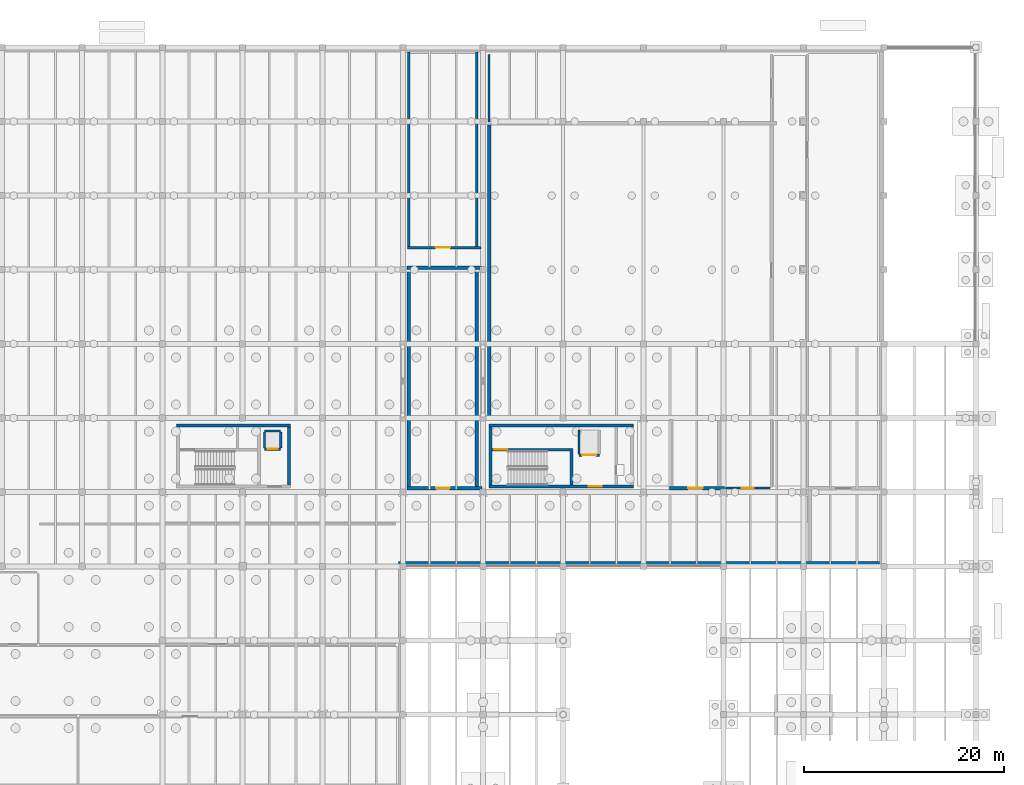
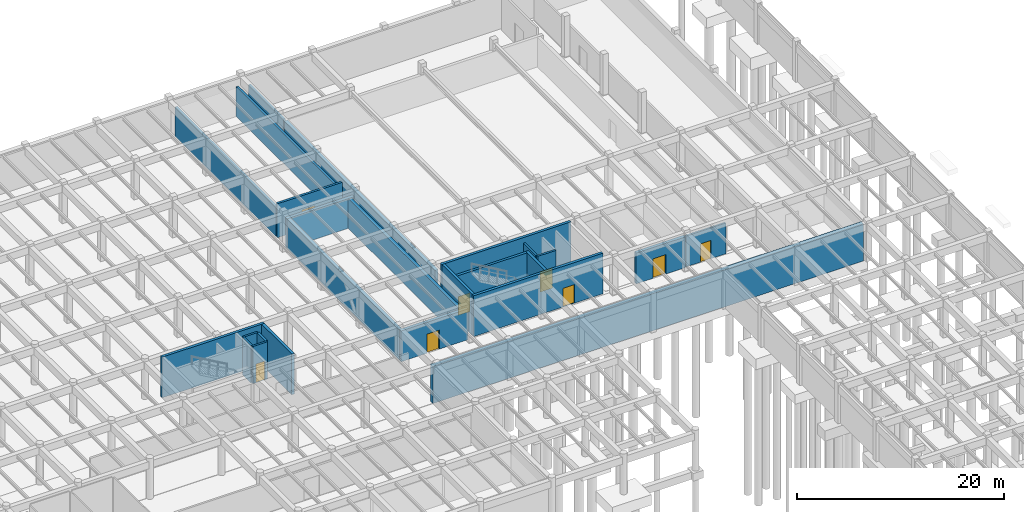
# One storey, part 24 of 40: 25 walls, 8 doors, 8 openings.
"""IFC4 building model written with IfcOpenShell, lengths in metres."""

from ifc_helpers import new_model, si_unit, direction, frame, frame_2d, origin, place, context, subcontext, project, spatial, rectangle, extrude, material, layer, layer_set, type_object, element, fill, save


model = new_model("IFC4")

# Units and contexts
model_context = context("Model", 3, precision=1e-05, world=origin(), true_north=direction((0.0, 1.0)))
body_context = subcontext(model_context, "Body", "Model", "MODEL_VIEW")
ifc_project = project(units=[si_unit("LENGTHUNIT", "METRE"), si_unit("AREAUNIT", "SQUARE_METRE"), si_unit("VOLUMEUNIT", "CUBIC_METRE"), si_unit("PLANEANGLEUNIT", "RADIAN"), si_unit("MASSUNIT", "GRAM", prefix="KILO")], contexts=[model_context])

# Site, building, storey
site_placement = place(None, origin())
site = spatial("IfcSite", under=ifc_project, at=site_placement, CompositionType="ELEMENT")
building_placement = place(site_placement, origin())
building = spatial("IfcBuilding", under=site, at=building_placement, Name="Valkorina Park Police Headquarters", CompositionType="ELEMENT")
storey_placement = place(building_placement, frame((0.0, 0.0, -4.800048828125)))
storey = spatial("IfcBuildingStorey", under=building, at=storey_placement, Name="B01", CompositionType="ELEMENT", Elevation=-4.800048828125)

# Wall, opening, door
ifc_material_1 = material(Name="Autoclaved aerated concrete masonry", Category="masonry")
ifc_layer_1 = layer(ifc_material_1, 0.219970703125)
ifc_layer_set_1 = layer_set([ifc_layer_1], Name="Autoclaved aerated concrete masonry")
wall_type_1 = type_object("IfcWallType", Name="WL-CHASE-220-EI60", PredefinedType="PLUMBINGWALL", material=ifc_layer_set_1)
wall_1_placement = place(storey_placement, frame((122.389892578125, 70.2900390625, 0.0), z_axis=(0.0, 0.0, 1.0), x_axis=(1.0, 0.0, 0.0)))
wall_1 = element("IfcWall", 1, at=wall_1_placement, inside=storey, type_object=wall_type_1, Name="Lift LF-07 B01 Shaft Front Wall", PredefinedType="PLUMBINGWALL", context=body_context, shape_type="SweptSolid", body=[
    extrude(rectangle(XDim=2.02001953125, YDim=0.219970703125, at=frame_2d((1.010009765625, 0.0))), origin(), (0.0, 0.0, 1.0), 4.380126953125),
])
opening_1_placement = place(wall_1_placement, frame((0.31005859375, 0.0, 0.0)))
opening_1 = element("IfcOpeningElement", 2, at=opening_1_placement, cuts=wall_1, Name="Opening LD-04", PredefinedType="OPENING", context=body_context, shape_type="SweptSolid", body=[
    extrude(rectangle(XDim=1.39990234375, YDim=2.39990234375, at=frame_2d((0.699951171875, 1.199951171875))), frame((0.0, 0.1201171875, 0.0), z_axis=(0.0, -1.0, 0.0), x_axis=(1.0, 0.0, 0.0)), (0.0, 0.0, 1.0), 0.239990234375),
])
ifc_material_2 = material(Name="Stainless steel EN 1.4404", Category="steel")
ifc_layer_2 = layer(ifc_material_2, 0.050048828125)
ifc_layer_set_2 = layer_set([ifc_layer_2], Name="Stainless steel EN 1.4404")
door_type_1 = type_object("IfcDoorType", Name="DR-LIFT-GOODS-1400x2400", OperationType="NOTDEFINED", PredefinedType="DOOR", material=ifc_layer_set_2)
door_1_placement = place(opening_1_placement, origin())
door_1 = element("IfcDoor", 3, at=door_1_placement, inside=storey, type_object=door_type_1, Name="Lift Landing Door LF-07-B01", OperationType="DOUBLE_DOOR_SLIDING", OverallHeight=2.39990234375, OverallWidth=1.39990234375, PredefinedType="DOOR", context=body_context, shape_type="SweptSolid", body=[
    extrude(rectangle(XDim=1.39990234375, YDim=2.39990234375, at=frame_2d((0.699951171875, 1.199951171875))), frame((0.0, 0.02490234375, 0.0), z_axis=(0.0, -1.0, 0.0), x_axis=(1.0, 0.0, 0.0)), (0.0, 0.0, 1.0), 0.050048828125),
])
fill(opening_1, door_1)

# Wall
wall_2_placement = place(storey_placement, frame((122.389892578125, 70.39990234375, 0.0), z_axis=(0.0, 0.0, 1.0), x_axis=(0.0, 1.0, 0.0)))
element("IfcWall", 4, at=wall_2_placement, inside=storey, type_object=wall_type_1, Name="Lift LF-07 B01 Shaft Side Wall W", PredefinedType="PLUMBINGWALL", context=body_context, shape_type="SweptSolid", body=[
    extrude(rectangle(XDim=2.400146484375, YDim=0.219970703125, at=frame_2d((1.2001953125, 0.0))), origin(), (0.0, 0.0, 1.0), 4.380126953125),
])

# Wall, opening, door
wall_3_placement = place(storey_placement, frame((90.989990234375, 70.889892578125, 0.0), z_axis=(0.0, 0.0, 1.0), x_axis=(1.0, 0.0, 0.0)))
wall_3 = element("IfcWall", 5, at=wall_3_placement, inside=storey, type_object=wall_type_1, Name="Lift LF-08 B01 Shaft Front Wall", PredefinedType="PLUMBINGWALL", context=body_context, shape_type="SweptSolid", body=[
    extrude(rectangle(XDim=1.6201171875, YDim=0.219970703125, at=frame_2d((0.81005859375, 0.0))), origin(), (0.0, 0.0, 1.0), 4.380126953125),
])
opening_2_placement = place(wall_3_placement, frame((0.31005859375, 0.0, 0.0)))
opening_2 = element("IfcOpeningElement", 6, at=opening_2_placement, cuts=wall_3, Name="Opening LD-02", PredefinedType="OPENING", context=body_context, shape_type="SweptSolid", body=[
    extrude(rectangle(XDim=1.0, YDim=2.199951171875, at=frame_2d((0.5, 1.10009765625))), frame((0.0, 0.1201171875, 0.0), z_axis=(0.0, -1.0, 0.0), x_axis=(1.0, 0.0, 0.0)), (0.0, 0.0, 1.0), 0.239990234375),
])
ifc_layer_3 = layer(ifc_material_2, 0.050048828125)
ifc_layer_set_3 = layer_set([ifc_layer_3], Name="Stainless steel EN 1.4404")
door_type_2 = type_object("IfcDoorType", Name="DR-LIFT-PAX-1000x2200", OperationType="NOTDEFINED", PredefinedType="DOOR", material=ifc_layer_set_3)
door_2_placement = place(opening_2_placement, origin())
door_2 = element("IfcDoor", 7, at=door_2_placement, inside=storey, type_object=door_type_2, Name="Lift Landing Door LF-08-B01", OperationType="DOUBLE_DOOR_SLIDING", OverallHeight=2.199951171875, OverallWidth=1.0, PredefinedType="DOOR", context=body_context, shape_type="SweptSolid", body=[
    extrude(rectangle(XDim=1.0, YDim=2.199951171875, at=frame_2d((0.5, 1.10009765625))), frame((0.0, 0.02490234375, 0.0), z_axis=(0.0, -1.0, 0.0), x_axis=(1.0, 0.0, 0.0)), (0.0, 0.0, 1.0), 0.050048828125),
])
fill(opening_2, door_2)

# Walls
wall_4_placement = place(storey_placement, frame((90.989990234375, 72.7099609375, 0.0), z_axis=(0.0, 0.0, 1.0), x_axis=(1.0, 0.0, 0.0)))
element("IfcWall", 8, at=wall_4_placement, inside=storey, type_object=wall_type_1, Name="Lift LF-08 B01 Shaft Back Wall", PredefinedType="PLUMBINGWALL", context=body_context, shape_type="SweptSolid", body=[
    extrude(rectangle(XDim=1.6201171875, YDim=0.219970703125, at=frame_2d((0.81005859375, 0.0))), origin(), (0.0, 0.0, 1.0), 4.380126953125),
])
for number, where, z_axis, x_axis, name in (
    (9, (90.989990234375, 71.0, 0.0), (0.0, 0.0, 1.0), (0.0, 1.0, 0.0), "Lift LF-08 B01 Shaft Side Wall W"),
    (10, (92.610107421875, 71.0, 0.0), (0.0, 0.0, 1.0), (0.0, 1.0, 0.0), "Lift LF-08 B01 Shaft Side Wall E"),
):
    element("IfcWall", number, at=place(storey_placement, frame(where, z_axis=z_axis, x_axis=x_axis)), inside=storey, type_object=wall_type_1, Name=name, PredefinedType="PLUMBINGWALL", context=body_context, shape_type="SweptSolid", body=[
        extrude(rectangle(XDim=1.60009765625, YDim=0.219970703125, at=frame_2d((0.800048828125, 0.0))), origin(), (0.0, 0.0, 1.0), 4.380126953125),
    ])

# Wall, opening, door
ifc_material_3 = material(Name="Concrete C40/50", Category="concrete")
ifc_layer_4 = layer(ifc_material_3, 0.300048828125)
ifc_layer_set_4 = layer_set([ifc_layer_4], Name="Concrete C40/50")
wall_type_2 = type_object("IfcWallType", Name="WL-CORE-300-REI120", PredefinedType="SHEAR", material=ifc_layer_set_4)
wall_5_placement = place(storey_placement, frame((113.39990234375, 67.14990234375, 0.0), z_axis=(0.0, 0.0, 1.0), x_axis=(1.0, 0.0, 0.0)))
wall_5 = element("IfcWall", 11, at=wall_5_placement, inside=storey, type_object=wall_type_2, Name="Core C5 B01 Shear Wall S", PredefinedType="SHEAR", context=body_context, shape_type="SweptSolid", body=[
    extrude(rectangle(XDim=14.400146484375, YDim=0.300048828125, at=frame_2d((7.2001953125, 0.0))), origin(), (0.0, 0.0, 1.0), 4.795166015625),
])
opening_3_placement = place(wall_5_placement, frame((9.949951171875, 0.0, 0.0)))
opening_3 = element("IfcOpeningElement", 12, at=opening_3_placement, cuts=wall_5, Name="Opening FD-03", PredefinedType="OPENING", context=body_context, shape_type="SweptSolid", body=[
    extrude(rectangle(XDim=1.300048828125, YDim=2.199951171875, at=frame_2d((0.64990234375, 1.10009765625))), frame((0.0, 0.16015625, 0.0), z_axis=(0.0, -1.0, 0.0), x_axis=(1.0, 0.0, 0.0)), (0.0, 0.0, 1.0), 0.320068359375),
])
ifc_material_4 = material(Name="Galvanized steel door leaf", Category="steel")
ifc_layer_5 = layer(ifc_material_4, 0.050048828125)
ifc_layer_set_5 = layer_set([ifc_layer_5], Name="Galvanized steel door leaf")
door_type_3 = type_object("IfcDoorType", Name="DR-FIRE-STAIR-1300x2200", OperationType="NOTDEFINED", PredefinedType="DOOR", material=ifc_layer_set_5)
door_3_placement = place(opening_3_placement, origin())
door_3 = element("IfcDoor", 13, at=door_3_placement, inside=storey, type_object=door_type_3, Name="Door D-B01-LBY-C5 (Core C5 Lobby Fire Door)", OperationType="SINGLE_SWING_LEFT", OverallHeight=2.199951171875, OverallWidth=1.300048828125, PredefinedType="DOOR", context=body_context, shape_type="SweptSolid", body=[
    extrude(rectangle(XDim=1.300048828125, YDim=2.199951171875, at=frame_2d((0.64990234375, 1.10009765625))), frame((0.0, 0.02490234375, 0.0), z_axis=(0.0, -1.0, 0.0), x_axis=(1.0, 0.0, 0.0)), (0.0, 0.0, 1.0), 0.050048828125),
])
fill(opening_3, door_3)

# Walls
wall_6_placement = place(storey_placement, frame((113.39990234375, 73.25, 0.0), z_axis=(0.0, 0.0, 1.0), x_axis=(1.0, 0.0, 0.0)))
element("IfcWall", 14, at=wall_6_placement, inside=storey, type_object=wall_type_2, Name="Core C5 B01 Shear Wall N", PredefinedType="SHEAR", context=body_context, shape_type="SweptSolid", body=[
    extrude(rectangle(XDim=14.400146484375, YDim=0.300048828125, at=frame_2d((7.2001953125, 0.0))), origin(), (0.0, 0.0, 1.0), 4.795166015625),
])
wall_7_placement = place(storey_placement, frame((113.550048828125, 67.300048828125, 0.0), z_axis=(0.0, 0.0, 1.0), x_axis=(0.0, 1.0, 0.0)))
element("IfcWall", 15, at=wall_7_placement, inside=storey, type_object=wall_type_2, Name="Core C5 B01 Shear Wall W", PredefinedType="SHEAR", context=body_context, shape_type="SweptSolid", body=[
    extrude(rectangle(XDim=5.800048828125, YDim=0.300048828125, at=frame_2d((2.89990234375, 0.0))), origin(), (0.0, 0.0, 1.0), 4.795166015625),
])
wall_8_placement = place(storey_placement, frame((82.199951171875, 73.25, 0.0), z_axis=(0.0, 0.0, 1.0), x_axis=(1.0, 0.0, 0.0)))
element("IfcWall", 16, at=wall_8_placement, inside=storey, type_object=wall_type_2, Name="Core C6 B01 Shear Wall N", PredefinedType="SHEAR", context=body_context, shape_type="SweptSolid", body=[
    extrude(rectangle(XDim=11.400146484375, YDim=0.300048828125, at=frame_2d((5.7001953125, 0.0))), origin(), (0.0, 0.0, 1.0), 4.795166015625),
])
wall_9_placement = place(storey_placement, frame((93.449951171875, 67.300048828125, 0.0), z_axis=(0.0, 0.0, 1.0), x_axis=(0.0, 1.0, 0.0)))
element("IfcWall", 17, at=wall_9_placement, inside=storey, type_object=wall_type_2, Name="Core C6 B01 Shear Wall E", PredefinedType="SHEAR", context=body_context, shape_type="SweptSolid", body=[
    extrude(rectangle(XDim=5.800048828125, YDim=0.300048828125, at=frame_2d((2.89990234375, 0.0))), origin(), (0.0, 0.0, 1.0), 4.795166015625),
])

# Wall, opening, door
ifc_layer_6 = layer(ifc_material_1, 0.199951171875)
ifc_layer_set_6 = layer_set([ifc_layer_6], Name="Autoclaved aerated concrete masonry")
wall_type_3 = type_object("IfcWallType", Name="WL-CORR-200-EI60", PredefinedType="STANDARD", material=ifc_layer_set_6)
wall_10_placement = place(storey_placement, frame((136.989990234375, 67.0, 0.0), z_axis=(0.0, 0.0, 1.0), x_axis=(1.0, 0.0, 0.0)))
wall_10 = element("IfcWall", 18, at=wall_10_placement, inside=storey, type_object=wall_type_3, Name="B01 Interior Partition 0040 (B01-LCK-01)", PredefinedType="STANDARD", context=body_context, shape_type="SweptSolid", body=[
    extrude(rectangle(XDim=4.469970703125, YDim=0.199951171875, at=frame_2d((2.23486328125, 0.0))), origin(), (0.0, 0.0, 1.0), 3.630126953125),
])
opening_4_placement = place(wall_10_placement, frame((1.659912109375, 0.0, 0.0)))
opening_4 = element("IfcOpeningElement", 19, at=opening_4_placement, cuts=wall_10, Name="Opening FD-02", PredefinedType="OPENING", context=body_context, shape_type="SweptSolid", body=[
    extrude(rectangle(XDim=1.14990234375, YDim=2.14990234375, at=frame_2d((0.574951171875, 1.074951171875))), frame((0.0, 0.10986328125, 0.0), z_axis=(0.0, -1.0, 0.0), x_axis=(1.0, 0.0, 0.0)), (0.0, 0.0, 1.0), 0.219970703125),
])
ifc_layer_7 = layer(ifc_material_4, 0.050048828125)
ifc_layer_set_7 = layer_set([ifc_layer_7], Name="Galvanized steel door leaf")
door_type_4 = type_object("IfcDoorType", Name="DR-FIRE-CUST-1150x2150", OperationType="NOTDEFINED", PredefinedType="DOOR", material=ifc_layer_set_7)
door_4_placement = place(opening_4_placement, origin())
door_4 = element("IfcDoor", 20, at=door_4_placement, inside=storey, type_object=door_type_4, Name="Door D-B01-I015 (B01-LCK-01)", OperationType="SINGLE_SWING_RIGHT", OverallHeight=2.14990234375, OverallWidth=1.14990234375, PredefinedType="DOOR", context=body_context, shape_type="SweptSolid", body=[
    extrude(rectangle(XDim=1.14990234375, YDim=2.14990234375, at=frame_2d((0.574951171875, 1.074951171875))), frame((0.0, 0.02490234375, 0.0), z_axis=(0.0, -1.0, 0.0), x_axis=(1.0, 0.0, 0.0)), (0.0, 0.0, 1.0), 0.050048828125),
])
fill(opening_4, door_4)

# Wall
wall_11_placement = place(storey_placement, frame((113.39990234375, 103.5400390625, 0.0), z_axis=(0.0, 0.0, 1.0), x_axis=(0.0, 1.0, 0.0)))
element("IfcWall", 21, at=wall_11_placement, inside=storey, type_object=wall_type_3, Name="B01 Interior Partition 0043 (B01-PLT-05)", PredefinedType="STANDARD", context=body_context, shape_type="SweptSolid", body=[
    extrude(rectangle(XDim=6.719970703125, YDim=0.199951171875, at=frame_2d((3.35986328125, 0.0))), origin(), (0.0, 0.0, 1.0), 3.510009765625),
])

# Wall, opening, door
ifc_layer_8 = layer(ifc_material_3, 0.25)
ifc_layer_set_8 = layer_set([ifc_layer_8], Name="Concrete C40/50")
wall_type_4 = type_object("IfcWallType", Name="WL-CUST-250-REI120", PredefinedType="SOLIDWALL", material=ifc_layer_set_8)
wall_12_placement = place(storey_placement, frame((105.27490234375, 91.0, 0.0), z_axis=(0.0, 0.0, 1.0), x_axis=(1.0, 0.0, 0.0)))
wall_12 = element("IfcWall", 22, at=wall_12_placement, inside=storey, type_object=wall_type_4, Name="B01 Interior Partition 0032 (B01-RNG-03)", PredefinedType="SOLIDWALL", context=body_context, shape_type="SweptSolid", body=[
    extrude(rectangle(XDim=7.315185546875, YDim=0.25, at=frame_2d((3.65771484375, 0.0))), origin(), (0.0, 0.0, 1.0), 4.0),
])
opening_5_placement = place(wall_12_placement, frame((2.800048828125, 0.0, 0.0)))
opening_5 = element("IfcOpeningElement", 23, at=opening_5_placement, cuts=wall_12, Name="Opening FD-07", PredefinedType="OPENING", context=body_context, shape_type="SweptSolid", body=[
    extrude(rectangle(XDim=1.449951171875, YDim=2.300048828125, at=frame_2d((0.72509765625, 1.14990234375))), frame((0.0, 0.135009765625, 0.0), z_axis=(0.0, -1.0, 0.0), x_axis=(1.0, 0.0, 0.0)), (0.0, 0.0, 1.0), 0.27001953125),
])
ifc_layer_9 = layer(ifc_material_4, 0.050048828125)
ifc_layer_set_9 = layer_set([ifc_layer_9], Name="Galvanized steel door leaf")
door_type_5 = type_object("IfcDoorType", Name="DR-FIRE-VAULT-1450x2300", OperationType="NOTDEFINED", PredefinedType="DOOR", material=ifc_layer_set_9)
door_5_placement = place(opening_5_placement, origin())
door_5 = element("IfcDoor", 24, at=door_5_placement, inside=storey, type_object=door_type_5, Name="Door D-B01-I012 (B01-RNG-03)", OperationType="SINGLE_SWING_LEFT", OverallHeight=2.300048828125, OverallWidth=1.449951171875, PredefinedType="DOOR", context=body_context, shape_type="SweptSolid", body=[
    extrude(rectangle(XDim=1.449951171875, YDim=2.300048828125, at=frame_2d((0.72509765625, 1.14990234375))), frame((0.0, 0.02490234375, 0.0), z_axis=(0.0, -1.0, 0.0), x_axis=(1.0, 0.0, 0.0)), (0.0, 0.0, 1.0), 0.050048828125),
])
fill(opening_5, door_5)

# Walls
for number, where, z_axis, x_axis, name in (
    (25, (105.39990234375, 91.125, 0.0), (0.0, 0.0, 1.0), (0.0, 1.0, 0.0), "B01 Interior Partition 0033 (B01-RNG-03)"),
    (26, (112.199951171875, 91.125, 0.0), (0.0, 0.0, 1.0), (0.0, 1.0, 0.0), "B01 Interior Partition 0034 (B01-RNG-03)"),
):
    element("IfcWall", number, at=place(storey_placement, frame(where, z_axis=z_axis, x_axis=x_axis)), inside=storey, type_object=wall_type_4, Name=name, PredefinedType="SOLIDWALL", context=body_context, shape_type="SweptSolid", body=[
        extrude(rectangle(XDim=19.4248046875, YDim=0.25, at=frame_2d((9.71240234375, 0.0))), origin(), (0.0, 0.0, 1.0), 3.510009765625),
    ])
ifc_layer_10 = layer(ifc_material_3, 0.35009765625)
ifc_layer_set_10 = layer_set([ifc_layer_10], Name="Concrete C40/50")
wall_type_5 = type_object("IfcWallType", Name="WL-RANGE-350-REI180", PredefinedType="SOLIDWALL", material=ifc_layer_set_10)
wall_13_placement = place(storey_placement, frame((113.39990234375, 74.175048828125, 0.0), z_axis=(0.0, 0.0, 1.0), x_axis=(0.0, 1.0, 0.0)))
element("IfcWall", 27, at=wall_13_placement, inside=storey, type_object=wall_type_5, Name="B01 Interior Partition 0026 (B01-RNG-01)", PredefinedType="SOLIDWALL", context=body_context, shape_type="SweptSolid", body=[
    extrude(rectangle(XDim=29.050048828125, YDim=0.35009765625, at=frame_2d((14.52490234375, 0.0))), origin(), (0.0, 0.0, 1.0), 3.510009765625),
])

# Wall, opening, door
wall_14_placement = place(storey_placement, frame((105.22509765625, 67.0, 0.0), z_axis=(0.0, 0.0, 1.0), x_axis=(1.0, 0.0, 0.0)))
wall_14 = element("IfcWall", 28, at=wall_14_placement, inside=storey, type_object=wall_type_5, Name="B01 Interior Partition 0028 (B01-RNG-02)", PredefinedType="SOLIDWALL", context=body_context, shape_type="SweptSolid", body=[
    extrude(rectangle(XDim=7.46484375, YDim=0.35009765625, at=frame_2d((3.732421875, 0.0))), origin(), (0.0, 0.0, 1.0), 3.630126953125),
])
opening_6_placement = place(wall_14_placement, frame((2.89990234375, 0.0, 0.0)))
opening_6 = element("IfcOpeningElement", 29, at=opening_6_placement, cuts=wall_14, Name="Opening FD-09", PredefinedType="OPENING", context=body_context, shape_type="SweptSolid", body=[
    extrude(rectangle(XDim=1.35009765625, YDim=2.25, at=frame_2d((0.675048828125, 1.125))), frame((0.0, 0.18505859375, 0.0), z_axis=(0.0, -1.0, 0.0), x_axis=(1.0, 0.0, 0.0)), (0.0, 0.0, 1.0), 0.3701171875),
])
ifc_layer_11 = layer(ifc_material_4, 0.050048828125)
ifc_layer_set_11 = layer_set([ifc_layer_11], Name="Galvanized steel door leaf")
door_type_6 = type_object("IfcDoorType", Name="DR-FIRE-RANGE-1350x2250", OperationType="NOTDEFINED", PredefinedType="DOOR", material=ifc_layer_set_11)
door_6_placement = place(opening_6_placement, origin())
door_6 = element("IfcDoor", 30, at=door_6_placement, inside=storey, type_object=door_type_6, Name="Door D-B01-I011 (B01-RNG-02)", OperationType="SINGLE_SWING_RIGHT", OverallHeight=2.25, OverallWidth=1.35009765625, PredefinedType="DOOR", context=body_context, shape_type="SweptSolid", body=[
    extrude(rectangle(XDim=1.35009765625, YDim=2.25, at=frame_2d((0.675048828125, 1.125))), frame((0.0, 0.02490234375, 0.0), z_axis=(0.0, -1.0, 0.0), x_axis=(1.0, 0.0, 0.0)), (0.0, 0.0, 1.0), 0.050048828125),
])
fill(opening_6, door_6)

# Walls
wall_15_placement = place(storey_placement, frame((105.22509765625, 89.0, 0.0), z_axis=(0.0, 0.0, 1.0), x_axis=(1.0, 0.0, 0.0)))
element("IfcWall", 31, at=wall_15_placement, inside=storey, type_object=wall_type_5, Name="B01 Interior Partition 0029 (B01-RNG-02)", PredefinedType="SOLIDWALL", context=body_context, shape_type="SweptSolid", body=[
    extrude(rectangle(XDim=7.46484375, YDim=0.35009765625, at=frame_2d((3.732421875, 0.0))), origin(), (0.0, 0.0, 1.0), 3.510009765625),
])
for number, where, z_axis, x_axis, name in (
    (32, (105.39990234375, 67.175048828125, 0.0), (0.0, 0.0, 1.0), (0.0, 1.0, 0.0), "B01 Interior Partition 0030 (B01-RNG-02)"),
    (33, (112.199951171875, 67.175048828125, 0.0), (0.0, 0.0, 1.0), (0.0, 1.0, 0.0), "B01 Interior Partition 0031 (B01-RNG-02)"),
):
    element("IfcWall", number, at=place(storey_placement, frame(where, z_axis=z_axis, x_axis=x_axis)), inside=storey, type_object=wall_type_5, Name=name, PredefinedType="SOLIDWALL", context=body_context, shape_type="SweptSolid", body=[
        extrude(rectangle(XDim=21.64990234375, YDim=0.35009765625, at=frame_2d((10.824951171875, 0.0))), origin(), (0.0, 0.0, 1.0), 3.510009765625),
    ])

# Wall, opening, door
wall_16_placement = place(storey_placement, frame((131.425048828125, 67.0, 0.0), z_axis=(0.0, 0.0, 1.0), x_axis=(1.0, 0.0, 0.0)))
wall_16 = element("IfcWall", 34, at=wall_16_placement, inside=storey, type_object=wall_type_5, Name="B01 Interior Partition 0035 (B01-ARM-01)", PredefinedType="SOLIDWALL", context=body_context, shape_type="SweptSolid", body=[
    extrude(rectangle(XDim=5.46484375, YDim=0.35009765625, at=frame_2d((2.732421875, 0.0))), origin(), (0.0, 0.0, 1.0), 3.630126953125),
])
opening_7_placement = place(wall_16_placement, frame((1.85009765625, 0.0, 0.0)))
opening_7 = element("IfcOpeningElement", 35, at=opening_7_placement, cuts=wall_16, Name="Opening FD-07", PredefinedType="OPENING", context=body_context, shape_type="SweptSolid", body=[
    extrude(rectangle(XDim=1.449951171875, YDim=2.300048828125, at=frame_2d((0.72509765625, 1.14990234375))), frame((0.0, 0.18505859375, 0.0), z_axis=(0.0, -1.0, 0.0), x_axis=(1.0, 0.0, 0.0)), (0.0, 0.0, 1.0), 0.3701171875),
])
door_7_placement = place(opening_7_placement, origin())
door_7 = element("IfcDoor", 36, at=door_7_placement, inside=storey, type_object=door_type_5, Name="Door D-B01-I013 (B01-ARM-01)", OperationType="SINGLE_SWING_RIGHT", OverallHeight=2.300048828125, OverallWidth=1.449951171875, PredefinedType="DOOR", context=body_context, shape_type="SweptSolid", body=[
    extrude(rectangle(XDim=1.449951171875, YDim=2.300048828125, at=frame_2d((0.72509765625, 1.14990234375))), frame((0.0, 0.02490234375, 0.0), z_axis=(0.0, -1.0, 0.0), x_axis=(1.0, 0.0, 0.0)), (0.0, 0.0, 1.0), 0.050048828125),
])
fill(opening_7, door_7)

# Walls
ifc_material_5 = material(Name="Concrete C35/45", Category="concrete")
ifc_layer_12 = layer(ifc_material_5, 0.449951171875)
ifc_layer_set_12 = layer_set([ifc_layer_12], Name="Concrete C35/45")
wall_type_6 = type_object("IfcWallType", Name="WL-RETAIN-450-REI120", PredefinedType="SOLIDWALL", material=ifc_layer_set_12)
wall_17_placement = place(storey_placement, frame((152.35009765625, 59.43310546875, 0.0), z_axis=(0.0, 0.0, 1.0), x_axis=(-1.0, 0.0, 0.0)))
element("IfcWall", 37, at=wall_17_placement, inside=storey, type_object=wall_type_6, Name="B01 Basement Retaining Wall 07", PredefinedType="SOLIDWALL", context=body_context, shape_type="SweptSolid", body=[
    extrude(rectangle(XDim=48.0, YDim=0.449951171875, at=frame_2d((24.0, 0.0))), origin(), (0.0, 0.0, 1.0), 4.380126953125),
])
ifc_layer_13 = layer(ifc_material_3, 0.280029296875)
ifc_layer_set_13 = layer_set([ifc_layer_13], Name="Concrete C40/50")
wall_type_7 = type_object("IfcWallType", Name="WL-STAIR-280-REI120", PredefinedType="SHEAR", material=ifc_layer_set_13)
wall_18_placement = place(storey_placement, frame((121.639892578125, 67.300048828125, 0.0), z_axis=(0.0, 0.0, 1.0), x_axis=(0.0, 1.0, 0.0)))
element("IfcWall", 38, at=wall_18_placement, inside=storey, type_object=wall_type_7, Name="Core C5 B01 Shear Wall DIV", PredefinedType="SHEAR", context=body_context, shape_type="SweptSolid", body=[
    extrude(rectangle(XDim=3.679931640625, YDim=0.280029296875, at=frame_2d((1.83984375, 0.0))), origin(), (0.0, 0.0, 1.0), 4.795166015625),
])

# Wall, opening, door
wall_19_placement = place(storey_placement, frame((113.699951171875, 70.840087890625, 0.0), z_axis=(0.0, 0.0, 1.0), x_axis=(1.0, 0.0, 0.0)))
wall_19 = element("IfcWall", 39, at=wall_19_placement, inside=storey, type_object=wall_type_7, Name="Core C5 B01 Shear Wall SIDE", PredefinedType="SHEAR", context=body_context, shape_type="SweptSolid", body=[
    extrude(rectangle(XDim=7.800048828125, YDim=0.280029296875, at=frame_2d((3.89990234375, 0.0))), origin(), (0.0, 0.0, 1.0), 4.795166015625),
])
opening_8_placement = place(wall_19_placement, frame((0.199951171875, 0.0, 0.0)))
opening_8 = element("IfcOpeningElement", 40, at=opening_8_placement, cuts=wall_19, Name="Opening FD-03", PredefinedType="OPENING", context=body_context, shape_type="SweptSolid", body=[
    extrude(rectangle(XDim=1.300048828125, YDim=2.199951171875, at=frame_2d((0.64990234375, 1.10009765625))), frame((0.0, 0.14990234375, 0.0), z_axis=(0.0, -1.0, 0.0), x_axis=(1.0, 0.0, 0.0)), (0.0, 0.0, 1.0), 0.300048828125),
])
door_8_placement = place(opening_8_placement, origin())
door_8 = element("IfcDoor", 41, at=door_8_placement, inside=storey, type_object=door_type_3, Name="Door D-B01-C139 (ST-05 Stair Fire Door)", OperationType="SINGLE_SWING_RIGHT", OverallHeight=2.199951171875, OverallWidth=1.300048828125, PredefinedType="DOOR", context=body_context, shape_type="SweptSolid", body=[
    extrude(rectangle(XDim=1.300048828125, YDim=2.199951171875, at=frame_2d((0.64990234375, 1.10009765625))), frame((0.0, 0.02490234375, 0.0), z_axis=(0.0, -1.0, 0.0), x_axis=(1.0, 0.0, 0.0)), (0.0, 0.0, 1.0), 0.050048828125),
])
fill(opening_8, door_8)

save(model, "model.ifc")
